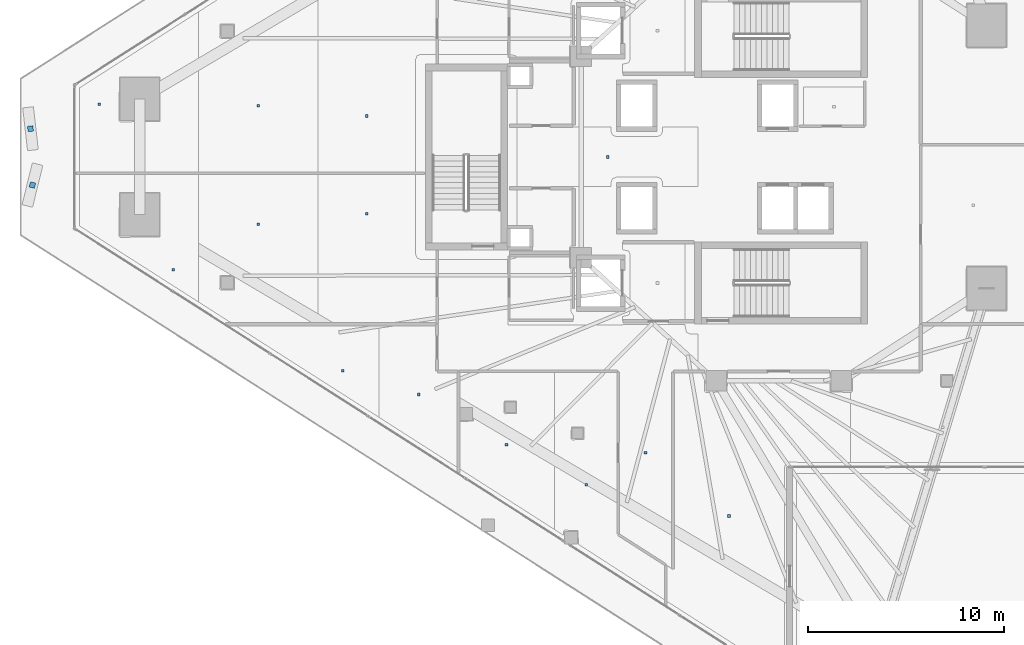
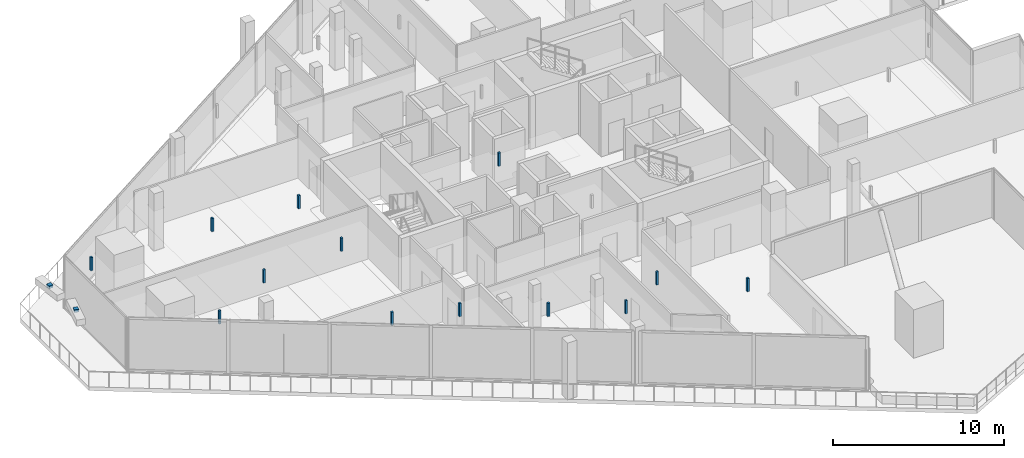
# One storey, part 29 of 38: 15 discrete accessories.
"""IFC4 building model written with IfcOpenShell, lengths in metres."""

from ifc_helpers import new_model, si_unit, direction, frame, origin, origin_2d, place, context, subcontext, project, spatial, rectangle, extrude, material, type_object, element, save


model = new_model("IFC4")

# Units and contexts
model_context = context("Model", 3, precision=1e-05, world=origin(), true_north=direction((0.0, 1.0)))
body_context = subcontext(model_context, "Body", "Model", "MODEL_VIEW")
ifc_project = project(units=[si_unit("LENGTHUNIT", "METRE"), si_unit("AREAUNIT", "SQUARE_METRE"), si_unit("VOLUMEUNIT", "CUBIC_METRE"), si_unit("PLANEANGLEUNIT", "RADIAN"), si_unit("MASSUNIT", "GRAM", prefix="KILO")], contexts=[model_context])

# Site, building, storey
site_placement = place(None, origin())
site = spatial("IfcSite", under=ifc_project, at=site_placement, CompositionType="ELEMENT")
building_placement = place(site_placement, origin())
building = spatial("IfcBuilding", under=site, at=building_placement, Name="Qorvath Tower", CompositionType="ELEMENT")
storey_placement = place(building_placement, frame((0.0, 0.0, 158.39990234375)))
storey = spatial("IfcBuildingStorey", under=building, at=storey_placement, Name="L36", CompositionType="ELEMENT", Elevation=158.39990234375)

# Discrete accessories
ifc_material = material(Name="Galvanised steel bracket", Category="steel")
discrete_accessory_type = type_object("IfcDiscreteAccessoryType", Name="DA-BRACKET", PredefinedType="BRACKET", material=ifc_material)
for number, where, z_axis, x_axis, name in (
    (1, (-58.634033203125, 1.440185546875, 3.64013671875), (0.0, 0.0, 1.0), (0.113312462015, -0.993559402327, 0.0), "Louvre Wave Support Bracket L36-01"),
    (2, (-58.53369140625, -1.440185546875, 3.64013671875), (0.0, 0.0, 1.0), (-0.238443624258, -0.971156340684, 0.0), "Louvre Wave Support Bracket L36-02"),
):
    element("IfcDiscreteAccessory", number, at=place(storey_placement, frame(where, z_axis=z_axis, x_axis=x_axis)), inside=storey, type_object=discrete_accessory_type, Name=name, PredefinedType="NOTDEFINED", context=body_context, shape_type="SweptSolid", body=[
        extrude(rectangle(XDim=0.280029296875, YDim=0.280029296875, at=origin_2d()), origin(), (0.0, 0.0, 1.0), 0.199951171875),
    ])
for number, where, z_axis, x_axis, name in (
    (3, (-27.199951171875, -15.115478515625, 2.85986328125), (0.0, 0.0, 1.0), (1.0, 0.0, 0.0), "Acoustic Ceiling Suspension Hanger T1-L36-009"),
    (4, (-29.140625, 0.0, 2.85986328125), (0.0, 0.0, 1.0), (1.0, 0.0, 0.0), "Acoustic Ceiling Suspension Hanger T1-L36-010"),
    (5, (-42.68017578125, -10.932861328125, 2.85986328125), (0.0, 0.0, 1.0), (1.0, 0.0, 0.0), "Acoustic Ceiling Suspension Hanger T1-L36-022"),
    (6, (-38.796630859375, -12.13671875, 2.85986328125), (0.0, 0.0, 1.0), (1.0, 0.0, 0.0), "Acoustic Ceiling Suspension Hanger T1-L36-023"),
    (7, (-34.303955078125, -14.714599609375, 2.85986328125), (0.0, 0.0, 1.0), (1.0, 0.0, 0.0), "Acoustic Ceiling Suspension Hanger T1-L36-024"),
    (8, (-30.23291015625, -16.75048828125, 2.85986328125), (0.0, 0.0, 1.0), (1.0, 0.0, 0.0), "Acoustic Ceiling Suspension Hanger T1-L36-025"),
    (9, (-22.94091796875, -18.354736328125, 2.85986328125), (0.0, 0.0, 1.0), (1.0, 0.0, 0.0), "Acoustic Ceiling Suspension Hanger T1-L36-026"),
    (10, (-51.3330078125, -5.7646484375, 2.85986328125), (0.0, 0.0, 1.0), (1.0, 0.0, 0.0), "Acoustic Ceiling Suspension Hanger T1-L36-035"),
    (11, (-46.9951171875, -3.44580078125, 2.85986328125), (0.0, 0.0, 1.0), (1.0, 0.0, 0.0), "Acoustic Ceiling Suspension Hanger T1-L36-036"),
    (12, (-41.45068359375, -2.912109375, 2.85986328125), (0.0, 0.0, 1.0), (1.0, 0.0, 0.0), "Acoustic Ceiling Suspension Hanger T1-L36-037"),
    (13, (-55.115234375, 2.68896484375, 2.85986328125), (0.0, 0.0, 1.0), (1.0, 0.0, 0.0), "Acoustic Ceiling Suspension Hanger T1-L36-038"),
    (14, (-46.9951171875, 2.61181640625, 2.85986328125), (0.0, 0.0, 1.0), (1.0, 0.0, 0.0), "Acoustic Ceiling Suspension Hanger T1-L36-039"),
    (15, (-41.45068359375, 2.0869140625, 2.85986328125), (0.0, 0.0, 1.0), (1.0, 0.0, 0.0), "Acoustic Ceiling Suspension Hanger T1-L36-040"),
):
    element("IfcDiscreteAccessory", number, at=place(storey_placement, frame(where, z_axis=z_axis, x_axis=x_axis)), inside=storey, type_object=discrete_accessory_type, Name=name, PredefinedType="NOTDEFINED", context=body_context, shape_type="SweptSolid", body=[
        extrude(rectangle(XDim=0.139892578125, YDim=0.139892578125, at=origin_2d()), origin(), (0.0, 0.0, 1.0), 0.949951171875),
    ])

save(model, "model.ifc")
